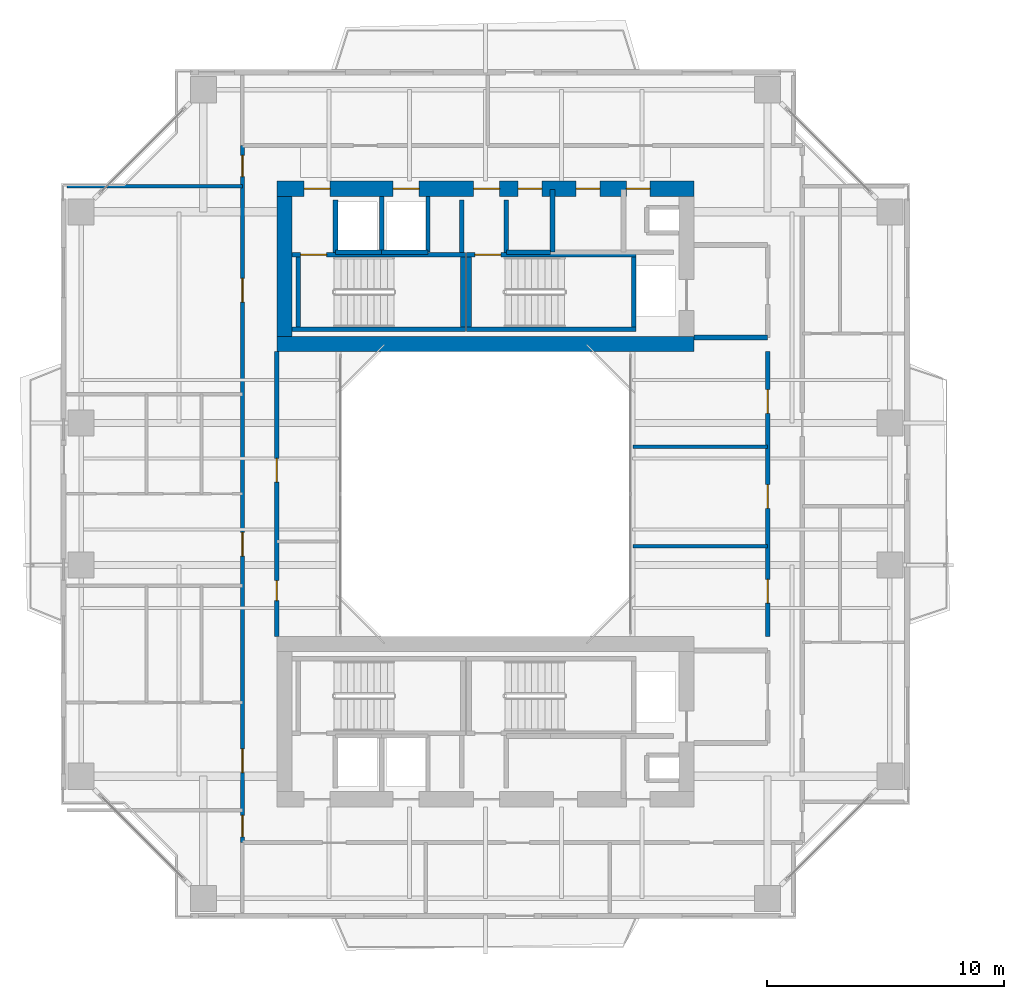
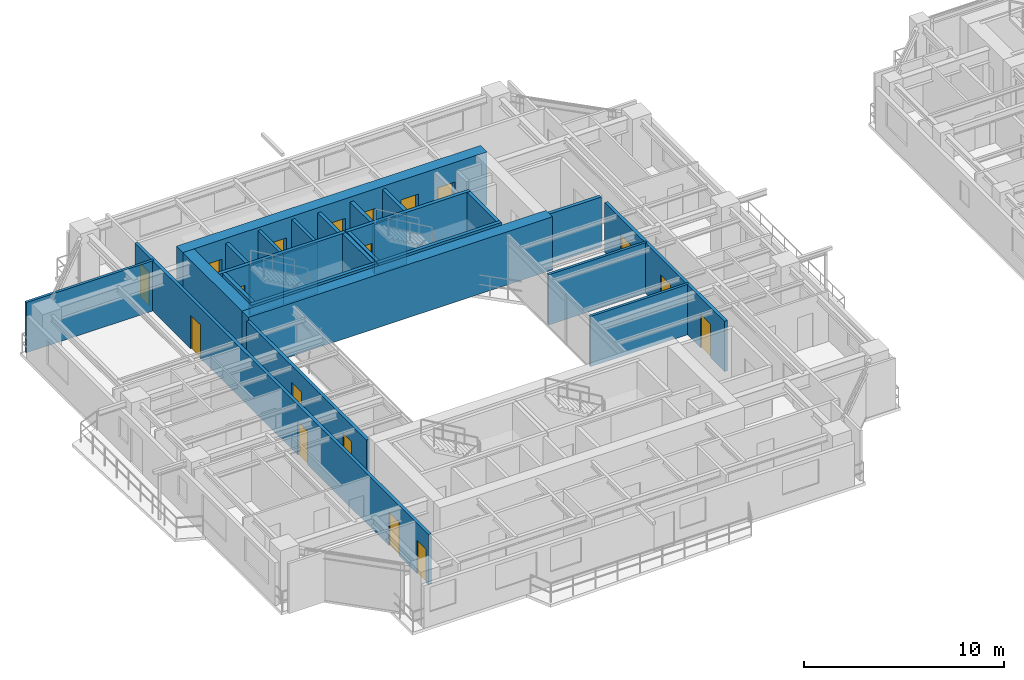
# One storey, part 16 of 24: 27 walls, 18 doors, 18 openings.
"""IFC4 building model written with IfcOpenShell, lengths in metres."""

import ifcopenshell
import ifcopenshell.guid

model = None  # the IFC model being written
_history = None  # IfcOwnerHistory: only IFC2X3 demands one
_inside = {}  # id of a spatial element -> (the spatial element, [elements in it])
_under = {}  # id of a project, library or spatial element -> (it, [spatial elements below it])
_declared = {}  # id of a project -> (the project, [libraries it declares])
_typed = {}  # id of a type object -> (the type object, [elements of that type])
_made_of = {}  # id of a material, layer set ... -> (it, [elements and type objects made of it])


def new_model(schema):
    """Start an empty IFC model of exactly this schema.

    Asked for "IFC4X3", IfcOpenShell would pick the latest addendum, in which some entities
    have other attributes; the version numbers below select the first issue.
    IFC2X3 requires an IfcOwnerHistory on every rooted entity: one is made here for all.
    """
    global model, _history
    if schema == "IFC4X3":
        model = ifcopenshell.file(schema_version=(4, 3, 0, 0))
    else:
        model = ifcopenshell.file(schema=schema)
    _inside.clear()
    _under.clear()
    _declared.clear()
    _typed.clear()
    _made_of.clear()
    _history = None
    if model.schema == "IFC2X3":
        org = make("IfcOrganization", Name="unknown")
        user = make(
            "IfcPersonAndOrganization",
            ThePerson=make("IfcPerson", FamilyName="unknown"),
            TheOrganization=org,
        )
        app = make(
            "IfcApplication",
            ApplicationDeveloper=org,
            Version="unknown",
            ApplicationFullName="unknown",
            ApplicationIdentifier="unknown",
        )
        _history = make(
            "IfcOwnerHistory",
            OwningUser=user,
            OwningApplication=app,
            ChangeAction="ADDED",
            CreationDate=0,
        )
    return model


def make(cls, **values):
    """One entity of the class cls with the attributes given. An attribute that is None is left unset."""
    return model.create_entity(
        cls, **{name: value for name, value in values.items() if value is not None}
    )


def rooted(cls, **values):
    """An entity with a GlobalId (a new one), such as an element, a storey or a relation."""
    return make(cls, GlobalId=ifcopenshell.guid.new(), OwnerHistory=_history, **values)


def si_unit(unit_type, name, prefix=None):
    """IfcSIUnit, for example si_unit("LENGTHUNIT", "METRE", prefix="MILLI")."""
    return make("IfcSIUnit", UnitType=unit_type, Prefix=prefix, Name=name)


def assignment(units):
    """IfcUnitAssignment: the units of a project."""
    return None if units is None else make("IfcUnitAssignment", Units=units)


def point(xyz):
    """IfcCartesianPoint."""
    return None if xyz is None else make("IfcCartesianPoint", Coordinates=xyz)


def direction(xyz):
    """IfcDirection."""
    return None if xyz is None else make("IfcDirection", DirectionRatios=xyz)


def frame(location, z_axis=None, x_axis=None):
    """IfcAxis2Placement3D, a coordinate frame: its origin and axes. An axis left out is left unset."""
    return make(
        "IfcAxis2Placement3D",
        Location=point(location),
        Axis=direction(z_axis),
        RefDirection=direction(x_axis),
    )


def frame_2d(location, x_axis=None):
    """IfcAxis2Placement2D, a coordinate frame in the plane: its origin and x axis."""
    return make(
        "IfcAxis2Placement2D", Location=point(location), RefDirection=direction(x_axis)
    )


def origin():
    """The frame at (0, 0, 0) with its axes left unset."""
    return frame((0.0, 0.0, 0.0))


def place(relative_to, where):
    """IfcLocalPlacement: puts the frame where relative to a parent placement (None: the world)."""
    return make(
        "IfcLocalPlacement", PlacementRelTo=relative_to, RelativePlacement=where
    )


def context(
    kind, dimensions, precision=None, world=None, true_north=None, identifier=None
):
    """IfcGeometricRepresentationContext, for example the 3D "Model" context."""
    return make(
        "IfcGeometricRepresentationContext",
        ContextIdentifier=identifier,
        ContextType=kind,
        CoordinateSpaceDimension=dimensions,
        Precision=precision,
        WorldCoordinateSystem=world,
        TrueNorth=true_north,
    )


def subcontext(parent, identifier, kind, view, scale=None):
    """IfcGeometricRepresentationSubContext, for example "Body" below "Model"."""
    return make(
        "IfcGeometricRepresentationSubContext",
        ContextIdentifier=identifier,
        ContextType=kind,
        ParentContext=parent,
        TargetScale=scale,
        TargetView=view,
    )


def project(units=None, contexts=None):
    """IfcProject with its units and contexts."""
    return rooted(
        "IfcProject",
        Name="project",
        RepresentationContexts=contexts,
        UnitsInContext=assignment(units),
    )


def spatial(cls, under=None, at=None, **own):
    """A site, building, storey or space (cls), placed at a placement, below another one or the project."""
    s = rooted(cls, ObjectPlacement=at, **own)
    if under is not None:
        _under.setdefault(under.id(), (under, []))[1].append(s)
    return s


def profile(cls, at=None, kind="AREA", **sizes):
    """A parametric profile (cls). Its sizes go by their IFC names, for example OverallWidth=200.0."""
    return make(cls, ProfileType=kind, Position=at, **sizes)


def rectangle(**sizes):
    """IfcRectangleProfileDef."""
    return profile("IfcRectangleProfileDef", **sizes)


def extrude(swept, where, along, depth):
    """IfcExtrudedAreaSolid: the profile swept, set in the frame where, extruded along a direction by depth."""
    return make(
        "IfcExtrudedAreaSolid",
        SweptArea=swept,
        Position=where,
        ExtrudedDirection=direction(along),
        Depth=depth,
    )


def shape(context_of_items, identifier, shape_type, items):
    """IfcShapeRepresentation: the items that make up one representation, for example the "Body"."""
    return make(
        "IfcShapeRepresentation",
        ContextOfItems=context_of_items,
        RepresentationIdentifier=identifier,
        RepresentationType=shape_type,
        Items=items,
    )


def source(mapping_origin, context_of_items, identifier, shape_type, items):
    """IfcRepresentationMap: a shape defined once, which mapped items show again and again."""
    return make(
        "IfcRepresentationMap",
        MappingOrigin=mapping_origin,
        MappedRepresentation=shape(context_of_items, identifier, shape_type, items),
    )


def transform(
    local_origin,
    x_axis=None,
    y_axis=None,
    z_axis=None,
    scale=None,
    scale2=None,
    scale3=None,
    uniform=True,
):
    """IfcCartesianTransformationOperator3D, or its non-uniform kind. x_axis, y_axis, z_axis: its Axis1, 2, 3."""
    if uniform:
        return make(
            "IfcCartesianTransformationOperator3D",
            Axis1=direction(x_axis),
            Axis2=direction(y_axis),
            LocalOrigin=point(local_origin),
            Scale=scale,
            Axis3=direction(z_axis),
        )
    return make(
        "IfcCartesianTransformationOperator3DnonUniform",
        Axis1=direction(x_axis),
        Axis2=direction(y_axis),
        LocalOrigin=point(local_origin),
        Scale=scale,
        Axis3=direction(z_axis),
        Scale2=scale2,
        Scale3=scale3,
    )


def mapped(mapping_source, mapping_target):
    """IfcMappedItem: shows the shape of a source again, moved by a transform."""
    return make(
        "IfcMappedItem", MappingSource=mapping_source, MappingTarget=mapping_target
    )


def material(Name=None, Category=None):
    """IfcMaterial."""
    return make("IfcMaterial", Name=Name, Category=Category)


def layer(
    of_material, thickness, ventilated=None, Name=None, Category=None, Priority=None
):
    """IfcMaterialLayer: one layer of a wall or slab, of a material (None: an air gap)."""
    return make(
        "IfcMaterialLayer",
        Material=of_material,
        LayerThickness=thickness,
        IsVentilated=ventilated,
        Name=Name,
        Category=Category,
        Priority=Priority,
    )


def layer_set(layers, Name=None):
    """IfcMaterialLayerSet."""
    return make("IfcMaterialLayerSet", MaterialLayers=layers, LayerSetName=Name)


def made_of(thing, what):
    """Note that an element or type object is made of a material, layer set ...; save() writes the relation."""
    if what is not None:
        _made_of.setdefault(what.id(), (what, []))[1].append(thing)
    return thing


def type_object(cls, material=None, **own):
    """A type object (cls), such as IfcWallType, which elements share."""
    return made_of(rooted(cls, **own), material)


def element(
    cls,
    number,
    at=None,
    inside=None,
    cuts=None,
    type_object=None,
    material=None,
    context=None,
    identifier="Body",
    shape_type=None,
    held_by="IfcProductDefinitionShape",
    body=None,
    shapes=None,
    **own,
):
    """One element of the class cls, such as IfcWall. Its Tag is "e" and its number.

    at: its placement. inside: the storey or other place that contains it. cuts: it is an
    opening in that element (IfcRelVoidsElement). A single representation is given by context,
    identifier, shape_type and body (its items); several are given by shapes. held_by: the class
    of the entity that holds the representations. save() writes the other relations.
    """
    e = rooted(cls, Tag="e%d" % number, ObjectPlacement=at, **own)
    if body is not None:
        shapes = [shape(context, identifier, shape_type, body)]
    if shapes is not None:
        e.Representation = make(held_by, Representations=shapes)
    if inside is not None:
        _inside.setdefault(inside.id(), (inside, []))[1].append(e)
    if cuts is not None:
        rooted(
            "IfcRelVoidsElement", RelatingBuildingElement=cuts, RelatedOpeningElement=e
        )
    if type_object is not None:
        _typed.setdefault(type_object.id(), (type_object, []))[1].append(e)
    return made_of(e, material)


def fill(opening, filler):
    """IfcRelFillsElement: the door or window that sits in an opening."""
    return rooted(
        "IfcRelFillsElement",
        RelatingOpeningElement=opening,
        RelatedBuildingElement=filler,
    )


def aggregate(whole, parts):
    """IfcRelAggregates: a whole, such as a stair, and the parts it consists of."""
    return rooted("IfcRelAggregates", RelatingObject=whole, RelatedObjects=parts)


def save(model, path):
    """Write the relations noted so far, then the file.

    IfcRelAggregates (storeys below a building ...), IfcRelContainedInSpatialStructure (elements
    in a storey), IfcRelDefinesByType, IfcRelAssociatesMaterial and IfcRelDeclares: one each for
    every whole, place, type object, material and project.
    """
    for whole, parts in _under.values():
        aggregate(whole, parts)
    for where, things in _inside.values():
        rooted(
            "IfcRelContainedInSpatialStructure",
            RelatedElements=things,
            RelatingStructure=where,
        )
    for kind, things in _typed.values():
        rooted("IfcRelDefinesByType", RelatedObjects=things, RelatingType=kind)
    for what, things in _made_of.values():
        rooted("IfcRelAssociatesMaterial", RelatedObjects=things, RelatingMaterial=what)
    for by, libraries in _declared.values():
        rooted("IfcRelDeclares", RelatingContext=by, RelatedDefinitions=libraries)
    model.write(path)


model = new_model("IFC4")

# Units and contexts
model_context = context("Model", 3, precision=1e-05, world=origin(), true_north=direction((0.0, 1.0)))
body_context = subcontext(model_context, "Body", "Model", "MODEL_VIEW")
ifc_project = project(units=[si_unit("LENGTHUNIT", "METRE"), si_unit("AREAUNIT", "SQUARE_METRE"), si_unit("VOLUMEUNIT", "CUBIC_METRE"), si_unit("PLANEANGLEUNIT", "RADIAN"), si_unit("MASSUNIT", "GRAM", prefix="KILO"), si_unit("THERMODYNAMICTEMPERATUREUNIT", "KELVIN"), si_unit("POWERUNIT", "WATT")], contexts=[model_context])

# Site, building, storey
site_placement = place(None, origin())
site = spatial("IfcSite", under=ifc_project, at=site_placement, CompositionType="ELEMENT")
building_placement = place(site_placement, origin())
building = spatial("IfcBuilding", under=site, at=building_placement, Name="Qiaomeng Ring Towers", CompositionType="ELEMENT")
storey_placement = place(building_placement, frame((0.0, 0.0, 106.75)))
storey = spatial("IfcBuildingStorey", under=building, at=storey_placement, Name="L30", CompositionType="ELEMENT", Elevation=106.75)

# Walls
ifc_material_1 = material(Name="Autoclaved aerated concrete block", Category="concrete")
ifc_layer_1 = layer(ifc_material_1, 0.199951171875, Name="Autoclaved aerated concrete block")
ifc_layer_set_1 = layer_set([ifc_layer_1], Name="Autoclaved aerated concrete block")
wall_type_1 = type_object("IfcWallType", Name="ARC-WL-PW1", PredefinedType="PARTITIONING", material=ifc_layer_set_1)
wall_1_placement = place(storey_placement, frame((27.800048828125, 29.60009765625, 0.0), z_axis=(0.0, 0.0, 1.0), x_axis=(1.0, 0.0, 0.0)))
element("IfcWall", 1, at=wall_1_placement, inside=storey, type_object=wall_type_1, Name="L30 Interior Wall PW1", PredefinedType="PARTITIONING", context=body_context, shape_type="SweptSolid", body=[
    extrude(rectangle(XDim=3.099853515625, YDim=0.199951171875, at=frame_2d((1.5498046875, 0.0))), origin(), (0.0, 0.0, 1.0), 3.070068359375),
])
for number, where, z_axis, x_axis, name in (
    (2, (12.679931640625, 33.18994140625, 0.0), (0.0, 0.0, 1.0), (0.0, 1.0, 0.0), "L30 Interior Wall PW1"),
    (3, (18.0, 33.18994140625, 0.0), (0.0, 0.0, 1.0), (0.0, 1.0, 0.0), "L30 Interior Wall PW1"),
    (4, (19.8798828125, 33.18994140625, 0.0), (0.0, 0.0, 1.0), (0.0, 1.0, 0.0), "L30 Interior Wall PW1"),
):
    element("IfcWall", number, at=place(storey_placement, frame(where, z_axis=z_axis, x_axis=x_axis)), inside=storey, type_object=wall_type_1, Name=name, PredefinedType="PARTITIONING", context=body_context, shape_type="SweptSolid", body=[
        extrude(rectangle(XDim=2.2099609375, YDim=0.199951171875, at=frame_2d((1.10498046875, 0.0))), origin(), (0.0, 0.0, 1.0), 3.070068359375),
    ])
wall_2_placement = place(storey_placement, frame((19.8798828125, 33.199951171875, 0.0), z_axis=(0.0, 0.0, 1.0), x_axis=(1.0, 0.0, 0.0)))
element("IfcWall", 5, at=wall_2_placement, inside=storey, type_object=wall_type_1, Name="L30 Interior Wall PW1", PredefinedType="PARTITIONING", context=body_context, shape_type="SweptSolid", body=[
    extrude(rectangle(XDim=1.8701171875, YDim=0.199951171875, at=frame_2d((0.93505859375, 0.0))), origin(), (0.0, 0.0, 1.0), 3.070068359375),
])
wall_3_placement = place(storey_placement, frame((21.830078125, 33.199951171875, 0.0), z_axis=(0.0, 0.0, 1.0), x_axis=(0.0, 1.0, 0.0)))
element("IfcWall", 6, at=wall_3_placement, inside=storey, type_object=wall_type_1, Name="L30 Interior Wall PW1", PredefinedType="PARTITIONING", context=body_context, shape_type="SweptSolid", body=[
    extrude(rectangle(XDim=2.650146484375, YDim=0.199951171875, at=frame_2d((1.3251953125, 0.0))), origin(), (0.0, 0.0, 1.0), 3.070068359375),
])

# Wall, openings, doors
ifc_layer_2 = layer(ifc_material_1, 0.179931640625, Name="Autoclaved aerated concrete block")
ifc_layer_set_2 = layer_set([ifc_layer_2], Name="Autoclaved aerated concrete block")
wall_type_2 = type_object("IfcWallType", Name="ARC-WL-PW2", PredefinedType="PARTITIONING", material=ifc_layer_set_2)
wall_4_placement = place(storey_placement, frame((8.75, 8.300048828125, 0.0), z_axis=(0.0, 0.0, 1.0), x_axis=(0.0, 1.0, 0.0)))
wall_4 = element("IfcWall", 7, at=wall_4_placement, inside=storey, type_object=wall_type_2, Name="L30 Interior Wall PW2", PredefinedType="PARTITIONING", context=body_context, shape_type="SweptSolid", body=[
    extrude(rectangle(XDim=29.39990234375, YDim=0.179931640625, at=frame_2d((14.699951171875, 0.0))), origin(), (0.0, 0.0, 1.0), 3.070068359375),
])
opening_1_placement = place(wall_4_placement, frame((28.080078125, 0.0, 0.0)))
opening_1 = element("IfcOpeningElement", 8, at=opening_1_placement, cuts=wall_4, Name="Opening ID1", PredefinedType="OPENING", context=body_context, shape_type="SweptSolid", body=[
    extrude(rectangle(XDim=0.89990234375, YDim=2.050048828125, at=frame_2d((0.449951171875, 1.02490234375))), frame((0.0, 0.099853515625, 0.0), z_axis=(0.0, -1.0, 0.0), x_axis=(1.0, 0.0, 0.0)), (0.0, 0.0, 1.0), 0.199951171875),
])
opening_2_placement = place(wall_4_placement, frame((0.2451171875, 0.0, 0.0)))
opening_2 = element("IfcOpeningElement", 9, at=opening_2_placement, cuts=wall_4, Name="Opening ID1", PredefinedType="OPENING", context=body_context, shape_type="SweptSolid", body=[
    extrude(rectangle(XDim=0.89990234375, YDim=2.050048828125, at=frame_2d((0.449951171875, 1.02490234375))), frame((0.0, 0.099853515625, 0.0), z_axis=(0.0, -1.0, 0.0), x_axis=(1.0, 0.0, 0.0)), (0.0, 0.0, 1.0), 0.199951171875),
])
opening_3_placement = place(wall_4_placement, frame((2.949951171875, 0.0, 0.0)))
opening_3 = element("IfcOpeningElement", 10, at=opening_3_placement, cuts=wall_4, Name="Opening FD4", PredefinedType="OPENING", context=body_context, shape_type="SweptSolid", body=[
    extrude(rectangle(XDim=1.0, YDim=2.050048828125, at=frame_2d((0.5, 1.02490234375))), frame((0.0, 0.099853515625, 0.0), z_axis=(0.0, -1.0, 0.0), x_axis=(1.0, 0.0, 0.0)), (0.0, 0.0, 1.0), 0.199951171875),
])
opening_4_placement = place(wall_4_placement, frame((12.080078125, 0.0, 0.0)))
opening_4 = element("IfcOpeningElement", 11, at=opening_4_placement, cuts=wall_4, Name="Opening FD4", PredefinedType="OPENING", context=body_context, shape_type="SweptSolid", body=[
    extrude(rectangle(XDim=1.0, YDim=2.050048828125, at=frame_2d((0.5, 1.02490234375))), frame((0.0, 0.099853515625, 0.0), z_axis=(0.0, -1.0, 0.0), x_axis=(1.0, 0.0, 0.0)), (0.0, 0.0, 1.0), 0.199951171875),
])
opening_5_placement = place(wall_4_placement, frame((22.794921875, 0.0, 0.0)))
opening_5 = element("IfcOpeningElement", 12, at=opening_5_placement, cuts=wall_4, Name="Opening FD4", PredefinedType="OPENING", context=body_context, shape_type="SweptSolid", body=[
    extrude(rectangle(XDim=1.0, YDim=2.050048828125, at=frame_2d((0.5, 1.02490234375))), frame((0.0, 0.099853515625, 0.0), z_axis=(0.0, -1.0, 0.0), x_axis=(1.0, 0.0, 0.0)), (0.0, 0.0, 1.0), 0.199951171875),
])
ifc_material_2 = material(Name="Engineered fire-rated oak timber", Category="wood")
door_type_1 = type_object("IfcDoorType", Name="ARC-DR-FD4", OperationType="NOTDEFINED", PredefinedType="DOOR", material=ifc_material_2)
shared_shape_1 = source(origin(), body_context, "Body", "SweptSolid", [
    extrude(rectangle(XDim=1.0, YDim=2.050048828125, at=frame_2d((0.5, 1.02490234375))), frame((0.0, 0.02490234375, 0.0), z_axis=(0.0, -1.0, 0.0), x_axis=(1.0, 0.0, 0.0)), (0.0, 0.0, 1.0), 0.050048828125),
])
door_1_placement = place(opening_3_placement, origin())
door_1 = element("IfcDoor", 13, at=door_1_placement, inside=storey, type_object=door_type_1, Name="L30 Door FD4", OperationType="SINGLE_SWING_RIGHT", OverallHeight=2.050048828125, OverallWidth=1.0, PredefinedType="DOOR", context=body_context, shape_type="MappedRepresentation", body=[
    mapped(shared_shape_1, transform((0.0, 0.0, 0.0), x_axis=(1.0, 0.0, 0.0), y_axis=(0.0, 1.0, 0.0), z_axis=(0.0, 0.0, 1.0), scale=1.0)),
])
fill(opening_3, door_1)
door_2_placement = place(opening_4_placement, origin())
door_2 = element("IfcDoor", 14, at=door_2_placement, inside=storey, type_object=door_type_1, Name="L30 Door FD4", OperationType="SINGLE_SWING_RIGHT", OverallHeight=2.050048828125, OverallWidth=1.0, PredefinedType="DOOR", context=body_context, shape_type="MappedRepresentation", body=[
    mapped(shared_shape_1, transform((0.0, 0.0, 0.0), x_axis=(1.0, 0.0, 0.0), y_axis=(0.0, 1.0, 0.0), z_axis=(0.0, 0.0, 1.0), scale=1.0)),
])
fill(opening_4, door_2)
door_3_placement = place(opening_5_placement, origin())
door_3 = element("IfcDoor", 15, at=door_3_placement, inside=storey, type_object=door_type_1, Name="L30 Door FD4", OperationType="SINGLE_SWING_LEFT", OverallHeight=2.050048828125, OverallWidth=1.0, PredefinedType="DOOR", context=body_context, shape_type="MappedRepresentation", body=[
    mapped(shared_shape_1, transform((0.0, 0.0, 0.0), x_axis=(1.0, 0.0, 0.0), y_axis=(0.0, 1.0, 0.0), z_axis=(0.0, 0.0, 1.0), scale=1.0)),
])
fill(opening_5, door_3)
ifc_material_3 = material(Name="Engineered oak timber", Category="wood")
door_type_2 = type_object("IfcDoorType", Name="ARC-DR-ID1", OperationType="NOTDEFINED", PredefinedType="DOOR", material=ifc_material_3)
shared_shape_2 = source(origin(), body_context, "Body", "SweptSolid", [
    extrude(rectangle(XDim=0.89990234375, YDim=2.050048828125, at=frame_2d((0.449951171875, 1.02490234375))), frame((0.0, 0.02490234375, 0.0), z_axis=(0.0, -1.0, 0.0), x_axis=(1.0, 0.0, 0.0)), (0.0, 0.0, 1.0), 0.050048828125),
])
door_4_placement = place(opening_1_placement, origin())
door_4 = element("IfcDoor", 16, at=door_4_placement, inside=storey, type_object=door_type_2, Name="L30 Door ID1", OperationType="SINGLE_SWING_LEFT", OverallHeight=2.050048828125, OverallWidth=0.89990234375, PredefinedType="DOOR", context=body_context, shape_type="MappedRepresentation", body=[
    mapped(shared_shape_2, transform((0.0, 0.0, 0.0), x_axis=(1.0, 0.0, 0.0), y_axis=(0.0, 1.0, 0.0), z_axis=(0.0, 0.0, 1.0), scale=1.0)),
])
fill(opening_1, door_4)
door_5_placement = place(opening_2_placement, origin())
door_5 = element("IfcDoor", 17, at=door_5_placement, inside=storey, type_object=door_type_2, Name="L30 Door ID1", OperationType="SINGLE_SWING_RIGHT", OverallHeight=2.050048828125, OverallWidth=0.89990234375, PredefinedType="DOOR", context=body_context, shape_type="MappedRepresentation", body=[
    mapped(shared_shape_2, transform((0.0, 0.0, 0.0), x_axis=(1.0, 0.0, 0.0), y_axis=(0.0, 1.0, 0.0), z_axis=(0.0, 0.0, 1.0), scale=1.0)),
])
fill(opening_2, door_5)

wall_5_placement = place(storey_placement, frame((10.199951171875, 17.0, 0.0), z_axis=(0.0, 0.0, 1.0), x_axis=(0.0, 1.0, 0.0)))
wall_5 = element("IfcWall", 18, at=wall_5_placement, inside=storey, type_object=wall_type_2, Name="L30 Interior Wall PW2", PredefinedType="PARTITIONING", context=body_context, shape_type="SweptSolid", body=[
    extrude(rectangle(XDim=12.0, YDim=0.179931640625, at=frame_2d((6.0, 0.0))), origin(), (0.0, 0.0, 1.0), 3.070068359375),
])
opening_6_placement = place(wall_5_placement, frame((1.5, 0.0, 0.0)))
opening_6 = element("IfcOpeningElement", 19, at=opening_6_placement, cuts=wall_5, Name="Opening ID2", PredefinedType="OPENING", context=body_context, shape_type="SweptSolid", body=[
    extrude(rectangle(XDim=0.85009765625, YDim=2.050048828125, at=frame_2d((0.425048828125, 1.02490234375))), frame((0.0, 0.099853515625, 0.0), z_axis=(0.0, -1.0, 0.0), x_axis=(1.0, 0.0, 0.0)), (0.0, 0.0, 1.0), 0.199951171875),
])
opening_7_placement = place(wall_5_placement, frame((6.5, 0.0, 0.0)))
opening_7 = element("IfcOpeningElement", 20, at=opening_7_placement, cuts=wall_5, Name="Opening FD4", PredefinedType="OPENING", context=body_context, shape_type="SweptSolid", body=[
    extrude(rectangle(XDim=1.0, YDim=2.050048828125, at=frame_2d((0.5, 1.02490234375))), frame((0.0, 0.099853515625, 0.0), z_axis=(0.0, -1.0, 0.0), x_axis=(1.0, 0.0, 0.0)), (0.0, 0.0, 1.0), 0.199951171875),
])
door_6_placement = place(opening_7_placement, origin())
door_6 = element("IfcDoor", 21, at=door_6_placement, inside=storey, type_object=door_type_1, Name="L30 Door FD4", OperationType="SINGLE_SWING_LEFT", OverallHeight=2.050048828125, OverallWidth=1.0, PredefinedType="DOOR", context=body_context, shape_type="MappedRepresentation", body=[
    mapped(shared_shape_1, transform((0.0, 0.0, 0.0), x_axis=(1.0, 0.0, 0.0), y_axis=(0.0, 1.0, 0.0), z_axis=(0.0, 0.0, 1.0), scale=1.0)),
])
fill(opening_7, door_6)
ifc_material_4 = material(Name="Moisture-resistant engineered timber", Category="wood")
door_type_3 = type_object("IfcDoorType", Name="ARC-DR-ID2", OperationType="NOTDEFINED", PredefinedType="DOOR", material=ifc_material_4)
shared_shape_3 = source(origin(), body_context, "Body", "SweptSolid", [
    extrude(rectangle(XDim=0.85009765625, YDim=2.050048828125, at=frame_2d((0.425048828125, 1.02490234375))), frame((0.0, 0.02490234375, 0.0), z_axis=(0.0, -1.0, 0.0), x_axis=(1.0, 0.0, 0.0)), (0.0, 0.0, 1.0), 0.050048828125),
])
door_7_placement = place(opening_6_placement, origin())
door_7 = element("IfcDoor", 22, at=door_7_placement, inside=storey, type_object=door_type_3, Name="L30 Door ID2", OperationType="SINGLE_SWING_RIGHT", OverallHeight=2.050048828125, OverallWidth=0.85009765625, PredefinedType="DOOR", context=body_context, shape_type="MappedRepresentation", body=[
    mapped(shared_shape_3, transform((0.0, 0.0, 0.0), x_axis=(1.0, 0.0, 0.0), y_axis=(0.0, 1.0, 0.0), z_axis=(0.0, 0.0, 1.0), scale=1.0)),
])
fill(opening_6, door_7)

wall_6_placement = place(storey_placement, frame((30.89990234375, 17.0, 0.0), z_axis=(0.0, 0.0, 1.0), x_axis=(0.0, 1.0, 0.0)))
wall_6 = element("IfcWall", 23, at=wall_6_placement, inside=storey, type_object=wall_type_2, Name="L30 Interior Wall PW2", PredefinedType="PARTITIONING", context=body_context, shape_type="SweptSolid", body=[
    extrude(rectangle(XDim=12.0, YDim=0.179931640625, at=frame_2d((6.0, 0.0))), origin(), (0.0, 0.0, 1.0), 3.070068359375),
])
opening_8_placement = place(wall_6_placement, frame((1.39990234375, 0.0, 0.0)))
opening_8 = element("IfcOpeningElement", 24, at=opening_8_placement, cuts=wall_6, Name="Opening FD4", PredefinedType="OPENING", context=body_context, shape_type="SweptSolid", body=[
    extrude(rectangle(XDim=1.0, YDim=2.050048828125, at=frame_2d((0.5, 1.02490234375))), frame((0.0, 0.099853515625, 0.0), z_axis=(0.0, -1.0, 0.0), x_axis=(1.0, 0.0, 0.0)), (0.0, 0.0, 1.0), 0.199951171875),
])
opening_9_placement = place(wall_6_placement, frame((5.39990234375, 0.0, 0.0)))
opening_9 = element("IfcOpeningElement", 25, at=opening_9_placement, cuts=wall_6, Name="Opening FD4", PredefinedType="OPENING", context=body_context, shape_type="SweptSolid", body=[
    extrude(rectangle(XDim=1.0, YDim=2.050048828125, at=frame_2d((0.5, 1.02490234375))), frame((0.0, 0.099853515625, 0.0), z_axis=(0.0, -1.0, 0.0), x_axis=(1.0, 0.0, 0.0)), (0.0, 0.0, 1.0), 0.199951171875),
])
opening_10_placement = place(wall_6_placement, frame((9.39990234375, 0.0, 0.0)))
opening_10 = element("IfcOpeningElement", 26, at=opening_10_placement, cuts=wall_6, Name="Opening FD4", PredefinedType="OPENING", context=body_context, shape_type="SweptSolid", body=[
    extrude(rectangle(XDim=1.0, YDim=2.050048828125, at=frame_2d((0.5, 1.02490234375))), frame((0.0, 0.099853515625, 0.0), z_axis=(0.0, -1.0, 0.0), x_axis=(1.0, 0.0, 0.0)), (0.0, 0.0, 1.0), 0.199951171875),
])
door_8_placement = place(opening_8_placement, origin())
door_8 = element("IfcDoor", 27, at=door_8_placement, inside=storey, type_object=door_type_1, Name="L30 Door FD4", OperationType="SINGLE_SWING_RIGHT", OverallHeight=2.050048828125, OverallWidth=1.0, PredefinedType="DOOR", context=body_context, shape_type="MappedRepresentation", body=[
    mapped(shared_shape_1, transform((0.0, 0.0, 0.0), x_axis=(1.0, 0.0, 0.0), y_axis=(0.0, 1.0, 0.0), z_axis=(0.0, 0.0, 1.0), scale=1.0)),
])
fill(opening_8, door_8)
door_9_placement = place(opening_9_placement, origin())
door_9 = element("IfcDoor", 28, at=door_9_placement, inside=storey, type_object=door_type_1, Name="L30 Door FD4", OperationType="SINGLE_SWING_LEFT", OverallHeight=2.050048828125, OverallWidth=1.0, PredefinedType="DOOR", context=body_context, shape_type="MappedRepresentation", body=[
    mapped(shared_shape_1, transform((0.0, 0.0, 0.0), x_axis=(1.0, 0.0, 0.0), y_axis=(0.0, 1.0, 0.0), z_axis=(0.0, 0.0, 1.0), scale=1.0)),
])
fill(opening_9, door_9)
door_10_placement = place(opening_10_placement, origin())
door_10 = element("IfcDoor", 29, at=door_10_placement, inside=storey, type_object=door_type_1, Name="L30 Door FD4", OperationType="SINGLE_SWING_RIGHT", OverallHeight=2.050048828125, OverallWidth=1.0, PredefinedType="DOOR", context=body_context, shape_type="MappedRepresentation", body=[
    mapped(shared_shape_1, transform((0.0, 0.0, 0.0), x_axis=(1.0, 0.0, 0.0), y_axis=(0.0, 1.0, 0.0), z_axis=(0.0, 0.0, 1.0), scale=1.0)),
])
fill(opening_10, door_10)

# Walls
ifc_material_5 = material(Name="Gypsum fireboard steel-stud partition", Category="steel")
ifc_layer_3 = layer(ifc_material_5, 0.14990234375, Name="Gypsum fireboard steel-stud partition")
ifc_layer_set_3 = layer_set([ifc_layer_3], Name="Gypsum fireboard steel-stud partition")
wall_type_3 = type_object("IfcWallType", Name="ARC-WL-PW3", PredefinedType="PARTITIONING", material=ifc_layer_set_3)
wall_7_placement = place(storey_placement, frame((1.35009765625, 35.97998046875, 0.0), z_axis=(0.0, 0.0, 1.0), x_axis=(1.0, 0.0, 0.0)))
element("IfcWall", 30, at=wall_7_placement, inside=storey, type_object=wall_type_3, Name="L30 Interior Wall PW3", PredefinedType="PARTITIONING", context=body_context, shape_type="SweptSolid", body=[
    extrude(rectangle(XDim=7.39990234375, YDim=0.14990234375, at=frame_2d((3.699951171875, 0.0))), origin(), (0.0, 0.0, 1.0), 3.070068359375),
])
for number, where, z_axis, x_axis, name in (
    (31, (25.219970703125, 20.800048828125, 0.0), (0.0, 0.0, 1.0), (1.0, 0.0, 0.0), "L30 Interior Wall PW3"),
    (32, (25.219970703125, 25.0, 0.0), (0.0, 0.0, 1.0), (1.0, 0.0, 0.0), "L30 Interior Wall PW3"),
):
    element("IfcWall", number, at=place(storey_placement, frame(where, z_axis=z_axis, x_axis=x_axis)), inside=storey, type_object=wall_type_3, Name=name, PredefinedType="PARTITIONING", context=body_context, shape_type="SweptSolid", body=[
        extrude(rectangle(XDim=5.679931640625, YDim=0.14990234375, at=frame_2d((2.83984375, 0.0))), origin(), (0.0, 0.0, 1.0), 3.070068359375),
    ])
ifc_material_6 = material(Name="Concrete C40", Category="concrete")
ifc_layer_4 = layer(ifc_material_6, 0.199951171875, Name="Concrete C40")
ifc_layer_set_4 = layer_set([ifc_layer_4], Name="Concrete C40")
wall_type_4 = type_object("IfcWallType", Name="STR-WL-STSHAFT", PredefinedType="SHEAR", material=ifc_layer_set_4)
wall_8_placement = place(storey_placement, frame((12.679931640625, 33.199951171875, 0.0), z_axis=(0.0, 0.0, 1.0), x_axis=(1.0, 0.0, 0.0)))
element("IfcWall", 33, at=wall_8_placement, inside=storey, type_object=wall_type_4, Name="L30 Lift LP5 Shaft Back Wall", PredefinedType="SHEAR", context=body_context, shape_type="SweptSolid", body=[
    extrude(rectangle(XDim=1.940185546875, YDim=0.179931640625, at=frame_2d((0.97021484375, 0.0))), origin(), (0.0, 0.0, 1.0), 3.070068359375),
])
wall_9_placement = place(storey_placement, frame((14.6201171875, 33.199951171875, 0.0), z_axis=(0.0, 0.0, 1.0), x_axis=(0.0, 1.0, 0.0)))
element("IfcWall", 34, at=wall_9_placement, inside=storey, type_object=wall_type_4, Name="L30 Lift LP5-LP3 Shaft Divider Wall", PredefinedType="SHEAR", context=body_context, shape_type="SweptSolid", body=[
    extrude(rectangle(XDim=2.35009765625, YDim=0.179931640625, at=frame_2d((1.175048828125, 0.0))), origin(), (0.0, 0.0, 1.0), 3.070068359375),
])
wall_10_placement = place(storey_placement, frame((14.6201171875, 33.199951171875, 0.0), z_axis=(0.0, 0.0, 1.0), x_axis=(1.0, 0.0, 0.0)))
element("IfcWall", 35, at=wall_10_placement, inside=storey, type_object=wall_type_4, Name="L30 Lift LP3 Shaft Back Wall", PredefinedType="SHEAR", context=body_context, shape_type="SweptSolid", body=[
    extrude(rectangle(XDim=1.9599609375, YDim=0.179931640625, at=frame_2d((0.97998046875, 0.0))), origin(), (0.0, 0.0, 1.0), 3.070068359375),
])
wall_11_placement = place(storey_placement, frame((16.580078125, 33.199951171875, 0.0), z_axis=(0.0, 0.0, 1.0), x_axis=(0.0, 1.0, 0.0)))
element("IfcWall", 36, at=wall_11_placement, inside=storey, type_object=wall_type_4, Name="L30 Lift LP3 East Shaft Wall", PredefinedType="SHEAR", context=body_context, shape_type="SweptSolid", body=[
    extrude(rectangle(XDim=2.35009765625, YDim=0.179931640625, at=frame_2d((1.175048828125, 0.0))), origin(), (0.0, 0.0, 1.0), 3.070068359375),
])
wall_12_placement = place(storey_placement, frame((10.85009765625, 29.949951171875, 0.0), z_axis=(0.0, 0.0, 1.0), x_axis=(1.0, 0.0, 0.0)))
element("IfcWall", 37, at=wall_12_placement, inside=storey, type_object=wall_type_4, Name="L30 Stair ST1 South Shaft Shear Wall", PredefinedType="SHEAR", context=body_context, shape_type="SweptSolid", body=[
    extrude(rectangle(XDim=7.2998046875, YDim=0.199951171875, at=frame_2d((3.64990234375, 0.0))), origin(), (0.0, 0.0, 1.0), 3.25),
])

# Wall, opening, door
wall_13_placement = place(storey_placement, frame((10.85009765625, 33.090087890625, 0.0), z_axis=(0.0, 0.0, 1.0), x_axis=(1.0, 0.0, 0.0)))
wall_13 = element("IfcWall", 38, at=wall_13_placement, inside=storey, type_object=wall_type_4, Name="L30 Stair ST1 North Shaft Shear Wall", PredefinedType="SHEAR", context=body_context, shape_type="SweptSolid", body=[
    extrude(rectangle(XDim=7.2998046875, YDim=0.199951171875, at=frame_2d((3.64990234375, 0.0))), origin(), (0.0, 0.0, 1.0), 3.25),
])
opening_11_placement = place(wall_13_placement, frame((0.35009765625, 0.0, 0.0)))
opening_11 = element("IfcOpeningElement", 39, at=opening_11_placement, cuts=wall_13, Name="Opening FD3", PredefinedType="OPENING", context=body_context, shape_type="SweptSolid", body=[
    extrude(rectangle(XDim=1.10009765625, YDim=2.050048828125, at=frame_2d((0.550048828125, 1.02490234375))), frame((0.0, 0.10986328125, 0.0), z_axis=(0.0, -1.0, 0.0), x_axis=(1.0, 0.0, 0.0)), (0.0, 0.0, 1.0), 0.219970703125),
])
ifc_material_7 = material(Name="Galvanised steel", Category="steel")
door_type_4 = type_object("IfcDoorType", Name="ARC-DR-FD3", OperationType="NOTDEFINED", PredefinedType="DOOR", material=ifc_material_7)
shared_shape_4 = source(origin(), body_context, "Body", "SweptSolid", [
    extrude(rectangle(XDim=1.10009765625, YDim=2.050048828125, at=frame_2d((0.550048828125, 1.02490234375))), frame((0.0, 0.02490234375, 0.0), z_axis=(0.0, -1.0, 0.0), x_axis=(1.0, 0.0, 0.0)), (0.0, 0.0, 1.0), 0.050048828125),
])
door_11_placement = place(opening_11_placement, origin())
door_11 = element("IfcDoor", 40, at=door_11_placement, inside=storey, type_object=door_type_4, Name="L30 Stair ST1 Exit Door", OperationType="SINGLE_SWING_RIGHT", OverallHeight=2.050048828125, OverallWidth=1.10009765625, PredefinedType="DOOR", context=body_context, shape_type="MappedRepresentation", body=[
    mapped(shared_shape_4, transform((0.0, 0.0, 0.0), x_axis=(1.0, 0.0, 0.0), y_axis=(0.0, 1.0, 0.0), z_axis=(0.0, 0.0, 1.0), scale=1.0)),
])
fill(opening_11, door_11)

# Walls
for number, where, z_axis, x_axis, name in (
    (41, (11.10009765625, 30.050048828125, 0.0), (0.0, 0.0, 1.0), (0.0, 1.0, 0.0), "L30 Stair ST1 West Shaft Shear Wall"),
    (42, (18.050048828125, 30.050048828125, 0.0), (0.0, 0.0, 1.0), (0.0, 1.0, 0.0), "L30 Stair ST1 East Shaft Shear Wall"),
):
    element("IfcWall", number, at=place(storey_placement, frame(where, z_axis=z_axis, x_axis=x_axis)), inside=storey, type_object=wall_type_4, Name=name, PredefinedType="SHEAR", context=body_context, shape_type="SweptSolid", body=[
        extrude(rectangle(XDim=2.93994140625, YDim=0.199951171875, at=frame_2d((1.469970703125, 0.0))), origin(), (0.0, 0.0, 1.0), 3.25),
    ])
wall_14_placement = place(storey_placement, frame((18.199951171875, 29.949951171875, 0.0), z_axis=(0.0, 0.0, 1.0), x_axis=(1.0, 0.0, 0.0)))
element("IfcWall", 43, at=wall_14_placement, inside=storey, type_object=wall_type_4, Name="L30 Stair ST2 South Shaft Shear Wall", PredefinedType="SHEAR", context=body_context, shape_type="SweptSolid", body=[
    extrude(rectangle(XDim=7.150146484375, YDim=0.199951171875, at=frame_2d((3.5751953125, 0.0))), origin(), (0.0, 0.0, 1.0), 3.25),
])

# Wall, opening, door
wall_15_placement = place(storey_placement, frame((18.199951171875, 33.090087890625, 0.0), z_axis=(0.0, 0.0, 1.0), x_axis=(1.0, 0.0, 0.0)))
wall_15 = element("IfcWall", 44, at=wall_15_placement, inside=storey, type_object=wall_type_4, Name="L30 Stair ST2 North Shaft Shear Wall", PredefinedType="SHEAR", context=body_context, shape_type="SweptSolid", body=[
    extrude(rectangle(XDim=7.150146484375, YDim=0.199951171875, at=frame_2d((3.5751953125, 0.0))), origin(), (0.0, 0.0, 1.0), 3.25),
])
opening_12_placement = place(wall_15_placement, frame((0.35009765625, 0.0, 0.0)))
opening_12 = element("IfcOpeningElement", 45, at=opening_12_placement, cuts=wall_15, Name="Opening FD3", PredefinedType="OPENING", context=body_context, shape_type="SweptSolid", body=[
    extrude(rectangle(XDim=1.10009765625, YDim=2.050048828125, at=frame_2d((0.550048828125, 1.02490234375))), frame((0.0, 0.10986328125, 0.0), z_axis=(0.0, -1.0, 0.0), x_axis=(1.0, 0.0, 0.0)), (0.0, 0.0, 1.0), 0.219970703125),
])
door_12_placement = place(opening_12_placement, origin())
door_12 = element("IfcDoor", 46, at=door_12_placement, inside=storey, type_object=door_type_4, Name="L30 Stair ST2 Exit Door", OperationType="SINGLE_SWING_RIGHT", OverallHeight=2.050048828125, OverallWidth=1.10009765625, PredefinedType="DOOR", context=body_context, shape_type="MappedRepresentation", body=[
    mapped(shared_shape_4, transform((0.0, 0.0, 0.0), x_axis=(1.0, 0.0, 0.0), y_axis=(0.0, 1.0, 0.0), z_axis=(0.0, 0.0, 1.0), scale=1.0)),
])
fill(opening_12, door_12)

# Walls
for number, where, z_axis, x_axis, name in (
    (47, (18.300048828125, 30.050048828125, 0.0), (0.0, 0.0, 1.0), (0.0, 1.0, 0.0), "L30 Stair ST2 West Shaft Shear Wall"),
    (48, (25.25, 30.050048828125, 0.0), (0.0, 0.0, 1.0), (0.0, 1.0, 0.0), "L30 Stair ST2 East Shaft Shear Wall"),
):
    element("IfcWall", number, at=place(storey_placement, frame(where, z_axis=z_axis, x_axis=x_axis)), inside=storey, type_object=wall_type_4, Name=name, PredefinedType="SHEAR", context=body_context, shape_type="SweptSolid", body=[
        extrude(rectangle(XDim=2.93994140625, YDim=0.199951171875, at=frame_2d((1.469970703125, 0.0))), origin(), (0.0, 0.0, 1.0), 3.25),
    ])
ifc_material_8 = material(Name="Concrete C55", Category="concrete")
ifc_layer_5 = layer(ifc_material_8, 0.64990234375, Name="Concrete C55")
ifc_layer_set_5 = layer_set([ifc_layer_5], Name="Concrete C55")
wall_type_5 = type_object("IfcWallType", Name="STR-WL-SW2A", PredefinedType="SHEAR", material=ifc_layer_set_5)
wall_16_placement = place(storey_placement, frame((10.199951171875, 29.324951171875, 0.0), z_axis=(0.0, 0.0, 1.0), x_axis=(1.0, 0.0, 0.0)))
element("IfcWall", 49, at=wall_16_placement, inside=storey, type_object=wall_type_5, Name="L30 T1NC south core shear wall", PredefinedType="SHEAR", context=body_context, shape_type="SweptSolid", body=[
    extrude(rectangle(XDim=17.60009765625, YDim=0.64990234375, at=frame_2d((8.800048828125, 0.0))), origin(), (0.0, 0.0, 1.0), 3.25),
])

# Wall, openings, doors
wall_17_placement = place(storey_placement, frame((10.199951171875, 35.875, 0.0), z_axis=(0.0, 0.0, 1.0), x_axis=(1.0, 0.0, 0.0)))
wall_17 = element("IfcWall", 50, at=wall_17_placement, inside=storey, type_object=wall_type_5, Name="L30 T1NC north core shear wall", PredefinedType="SHEAR", context=body_context, shape_type="SweptSolid", body=[
    extrude(rectangle(XDim=17.60009765625, YDim=0.64990234375, at=frame_2d((8.800048828125, 0.0))), origin(), (0.0, 0.0, 1.0), 3.25),
])
opening_13_placement = place(wall_17_placement, frame((1.14990234375, 0.0, 0.0)))
opening_13 = element("IfcOpeningElement", 51, at=opening_13_placement, cuts=wall_17, Name="Opening FD3", PredefinedType="OPENING", context=body_context, shape_type="SweptSolid", body=[
    extrude(rectangle(XDim=1.10009765625, YDim=2.050048828125, at=frame_2d((0.550048828125, 1.02490234375))), frame((0.0, 0.3349609375, 0.0), z_axis=(0.0, -1.0, 0.0), x_axis=(1.0, 0.0, 0.0)), (0.0, 0.0, 1.0), 0.669921875),
])
opening_14_placement = place(wall_17_placement, frame((8.300048828125, 0.0, 0.0)))
opening_14 = element("IfcOpeningElement", 52, at=opening_14_placement, cuts=wall_17, Name="Opening FD3", PredefinedType="OPENING", context=body_context, shape_type="SweptSolid", body=[
    extrude(rectangle(XDim=1.10009765625, YDim=2.050048828125, at=frame_2d((0.550048828125, 1.02490234375))), frame((0.0, 0.3349609375, 0.0), z_axis=(0.0, -1.0, 0.0), x_axis=(1.0, 0.0, 0.0)), (0.0, 0.0, 1.0), 0.669921875),
])
opening_15_placement = place(wall_17_placement, frame((4.89990234375, 0.0, 0.0)))
opening_15 = element("IfcOpeningElement", 53, at=opening_15_placement, cuts=wall_17, Name="Opening LD1", PredefinedType="OPENING", context=body_context, shape_type="SweptSolid", body=[
    extrude(rectangle(XDim=1.10009765625, YDim=2.050048828125, at=frame_2d((0.550048828125, 1.02490234375))), frame((0.0, 0.3349609375, 0.0), z_axis=(0.0, -1.0, 0.0), x_axis=(1.0, 0.0, 0.0)), (0.0, 0.0, 1.0), 0.669921875),
])
opening_16_placement = place(wall_17_placement, frame((14.739990234375, 0.0, 0.0)))
opening_16 = element("IfcOpeningElement", 54, at=opening_16_placement, cuts=wall_17, Name="Opening FD1", PredefinedType="OPENING", context=body_context, shape_type="SweptSolid", body=[
    extrude(rectangle(XDim=1.0, YDim=2.050048828125, at=frame_2d((0.5, 1.02490234375))), frame((0.0, 0.3349609375, 0.0), z_axis=(0.0, -1.0, 0.0), x_axis=(1.0, 0.0, 0.0)), (0.0, 0.0, 1.0), 0.669921875),
])
opening_17_placement = place(wall_17_placement, frame((10.175048828125, 0.0, 0.0)))
opening_17 = element("IfcOpeningElement", 55, at=opening_17_placement, cuts=wall_17, Name="Opening FD1", PredefinedType="OPENING", context=body_context, shape_type="SweptSolid", body=[
    extrude(rectangle(XDim=1.0, YDim=2.050048828125, at=frame_2d((0.5, 1.02490234375))), frame((0.0, 0.3349609375, 0.0), z_axis=(0.0, -1.0, 0.0), x_axis=(1.0, 0.0, 0.0)), (0.0, 0.0, 1.0), 0.669921875),
])
opening_18_placement = place(wall_17_placement, frame((12.625, 0.0, 0.0)))
opening_18 = element("IfcOpeningElement", 56, at=opening_18_placement, cuts=wall_17, Name="Opening FD1", PredefinedType="OPENING", context=body_context, shape_type="SweptSolid", body=[
    extrude(rectangle(XDim=1.0, YDim=2.050048828125, at=frame_2d((0.5, 1.02490234375))), frame((0.0, 0.3349609375, 0.0), z_axis=(0.0, -1.0, 0.0), x_axis=(1.0, 0.0, 0.0)), (0.0, 0.0, 1.0), 0.669921875),
])
door_13_placement = place(opening_13_placement, origin())
door_13 = element("IfcDoor", 57, at=door_13_placement, inside=storey, type_object=door_type_4, Name="L30 Stair ST1 Lobby Door", OperationType="SINGLE_SWING_LEFT", OverallHeight=2.050048828125, OverallWidth=1.10009765625, PredefinedType="DOOR", context=body_context, shape_type="MappedRepresentation", body=[
    mapped(shared_shape_4, transform((0.0, 0.0, 0.0), x_axis=(1.0, 0.0, 0.0), y_axis=(0.0, 1.0, 0.0), z_axis=(0.0, 0.0, 1.0), scale=1.0)),
])
fill(opening_13, door_13)
door_14_placement = place(opening_14_placement, origin())
door_14 = element("IfcDoor", 58, at=door_14_placement, inside=storey, type_object=door_type_4, Name="L30 Stair ST2 Lobby Door", OperationType="SINGLE_SWING_LEFT", OverallHeight=2.050048828125, OverallWidth=1.10009765625, PredefinedType="DOOR", context=body_context, shape_type="MappedRepresentation", body=[
    mapped(shared_shape_4, transform((0.0, 0.0, 0.0), x_axis=(1.0, 0.0, 0.0), y_axis=(0.0, 1.0, 0.0), z_axis=(0.0, 0.0, 1.0), scale=1.0)),
])
fill(opening_14, door_14)
ifc_material_9 = material(Name="Stainless steel 316", Category="steel")
door_type_5 = type_object("IfcDoorType", Name="ARC-DR-LD1", OperationType="NOTDEFINED", PredefinedType="DOOR", material=ifc_material_9)
door_15_placement = place(opening_15_placement, origin())
door_15 = element("IfcDoor", 59, at=door_15_placement, inside=storey, type_object=door_type_5, Name="L30 Mid-Zone Lift LP3 Landing Door", OperationType="SLIDING_TO_LEFT", OverallHeight=2.050048828125, OverallWidth=1.10009765625, PredefinedType="DOOR", context=body_context, shape_type="MappedRepresentation", body=[
    mapped(shared_shape_4, transform((0.0, 0.0, 0.0), x_axis=(1.0, 0.0, 0.0), y_axis=(0.0, 1.0, 0.0), z_axis=(0.0, 0.0, 1.0), scale=1.0)),
])
fill(opening_15, door_15)
door_type_6 = type_object("IfcDoorType", Name="ARC-DR-FD1", OperationType="NOTDEFINED", PredefinedType="DOOR", material=ifc_material_7)
door_16_placement = place(opening_16_placement, origin())
door_16 = element("IfcDoor", 60, at=door_16_placement, inside=storey, type_object=door_type_6, Name="L30 North Electrical Riser Door", OperationType="SINGLE_SWING_LEFT", OverallHeight=2.050048828125, OverallWidth=1.0, PredefinedType="DOOR", context=body_context, shape_type="MappedRepresentation", body=[
    mapped(shared_shape_1, transform((0.0, 0.0, 0.0), x_axis=(1.0, 0.0, 0.0), y_axis=(0.0, 1.0, 0.0), z_axis=(0.0, 0.0, 1.0), scale=1.0)),
])
fill(opening_16, door_16)
door_17_placement = place(opening_17_placement, origin())
door_17 = element("IfcDoor", 61, at=door_17_placement, inside=storey, type_object=door_type_6, Name="L30 North Cleaners Store Door", OperationType="SINGLE_SWING_LEFT", OverallHeight=2.050048828125, OverallWidth=1.0, PredefinedType="DOOR", context=body_context, shape_type="MappedRepresentation", body=[
    mapped(shared_shape_1, transform((0.0, 0.0, 0.0), x_axis=(1.0, 0.0, 0.0), y_axis=(0.0, 1.0, 0.0), z_axis=(0.0, 0.0, 1.0), scale=1.0)),
])
fill(opening_17, door_17)
door_18_placement = place(opening_18_placement, origin())
door_18 = element("IfcDoor", 62, at=door_18_placement, inside=storey, type_object=door_type_6, Name="L30 North Telemetry Office Door", OperationType="SINGLE_SWING_RIGHT", OverallHeight=2.050048828125, OverallWidth=1.0, PredefinedType="DOOR", context=body_context, shape_type="MappedRepresentation", body=[
    mapped(shared_shape_1, transform((0.0, 0.0, 0.0), x_axis=(1.0, 0.0, 0.0), y_axis=(0.0, 1.0, 0.0), z_axis=(0.0, 0.0, 1.0), scale=1.0)),
])
fill(opening_18, door_18)

# Wall
wall_18_placement = place(storey_placement, frame((10.52490234375, 29.64990234375, 0.0), z_axis=(0.0, 0.0, 1.0), x_axis=(0.0, 1.0, 0.0)))
element("IfcWall", 63, at=wall_18_placement, inside=storey, type_object=wall_type_5, Name="L30 T1NC west core shear wall", PredefinedType="SHEAR", context=body_context, shape_type="SweptSolid", body=[
    extrude(rectangle(XDim=5.900146484375, YDim=0.64990234375, at=frame_2d((2.9501953125, 0.0))), origin(), (0.0, 0.0, 1.0), 3.25),
])

save(model, "model.ifc")
